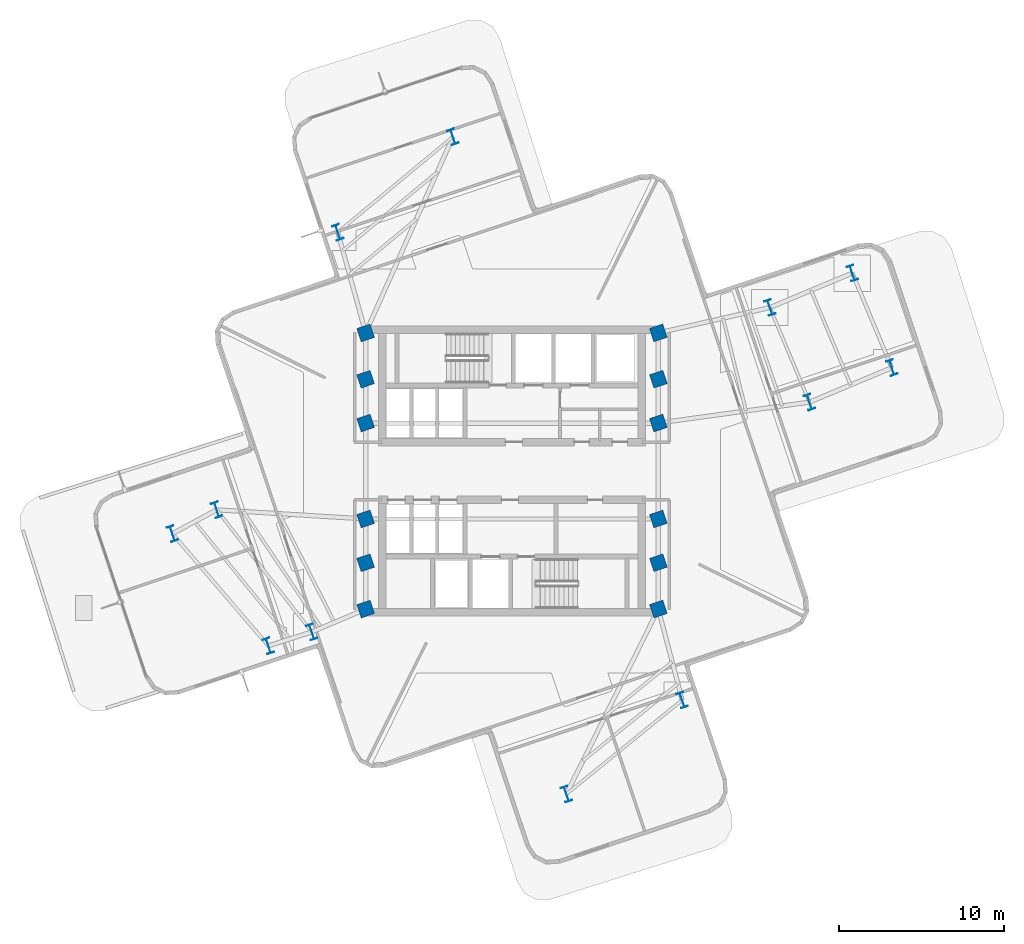
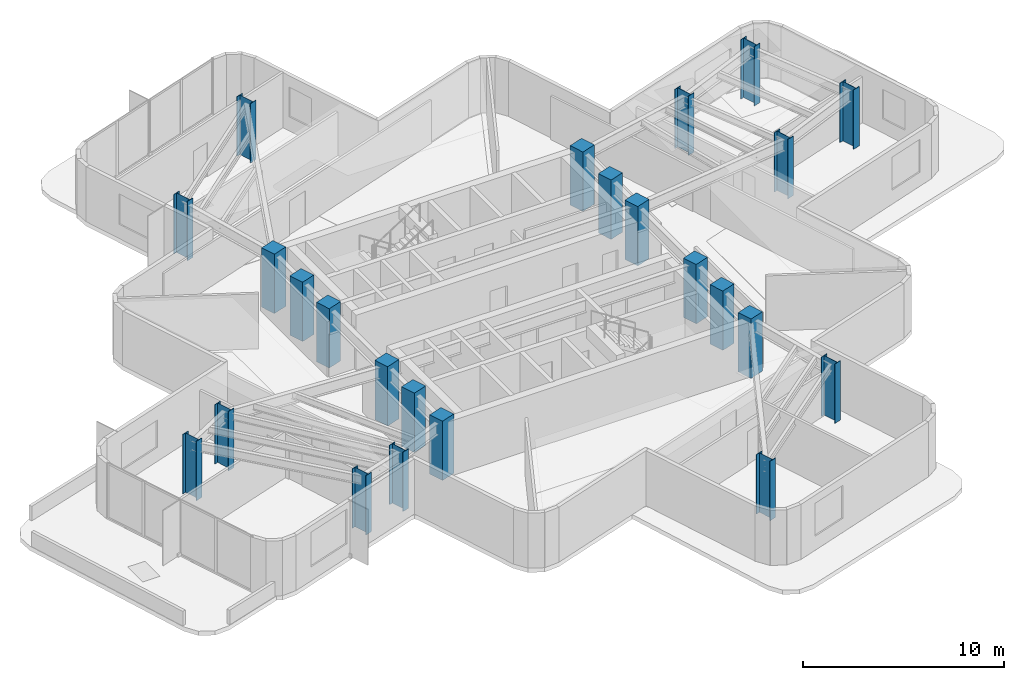
# One storey, part 1 of 11: 24 columns.
"""IFC4 building model written with IfcOpenShell, lengths in metres."""

import ifcopenshell
import ifcopenshell.guid

model = None  # the IFC model being written
_history = None  # IfcOwnerHistory: only IFC2X3 demands one
_inside = {}  # id of a spatial element -> (the spatial element, [elements in it])
_under = {}  # id of a project, library or spatial element -> (it, [spatial elements below it])
_declared = {}  # id of a project -> (the project, [libraries it declares])
_typed = {}  # id of a type object -> (the type object, [elements of that type])
_made_of = {}  # id of a material, layer set ... -> (it, [elements and type objects made of it])


def new_model(schema):
    """Start an empty IFC model of exactly this schema.

    Asked for "IFC4X3", IfcOpenShell would pick the latest addendum, in which some entities
    have other attributes; the version numbers below select the first issue.
    IFC2X3 requires an IfcOwnerHistory on every rooted entity: one is made here for all.
    """
    global model, _history
    if schema == "IFC4X3":
        model = ifcopenshell.file(schema_version=(4, 3, 0, 0))
    else:
        model = ifcopenshell.file(schema=schema)
    _inside.clear()
    _under.clear()
    _declared.clear()
    _typed.clear()
    _made_of.clear()
    _history = None
    if model.schema == "IFC2X3":
        org = make("IfcOrganization", Name="unknown")
        user = make(
            "IfcPersonAndOrganization",
            ThePerson=make("IfcPerson", FamilyName="unknown"),
            TheOrganization=org,
        )
        app = make(
            "IfcApplication",
            ApplicationDeveloper=org,
            Version="unknown",
            ApplicationFullName="unknown",
            ApplicationIdentifier="unknown",
        )
        _history = make(
            "IfcOwnerHistory",
            OwningUser=user,
            OwningApplication=app,
            ChangeAction="ADDED",
            CreationDate=0,
        )
    return model


def make(cls, **values):
    """One entity of the class cls with the attributes given. An attribute that is None is left unset."""
    return model.create_entity(
        cls, **{name: value for name, value in values.items() if value is not None}
    )


def rooted(cls, **values):
    """An entity with a GlobalId (a new one), such as an element, a storey or a relation."""
    return make(cls, GlobalId=ifcopenshell.guid.new(), OwnerHistory=_history, **values)


def si_unit(unit_type, name, prefix=None):
    """IfcSIUnit, for example si_unit("LENGTHUNIT", "METRE", prefix="MILLI")."""
    return make("IfcSIUnit", UnitType=unit_type, Prefix=prefix, Name=name)


def assignment(units):
    """IfcUnitAssignment: the units of a project."""
    return None if units is None else make("IfcUnitAssignment", Units=units)


def point(xyz):
    """IfcCartesianPoint."""
    return None if xyz is None else make("IfcCartesianPoint", Coordinates=xyz)


def direction(xyz):
    """IfcDirection."""
    return None if xyz is None else make("IfcDirection", DirectionRatios=xyz)


def frame(location, z_axis=None, x_axis=None):
    """IfcAxis2Placement3D, a coordinate frame: its origin and axes. An axis left out is left unset."""
    return make(
        "IfcAxis2Placement3D",
        Location=point(location),
        Axis=direction(z_axis),
        RefDirection=direction(x_axis),
    )


def frame_2d(location, x_axis=None):
    """IfcAxis2Placement2D, a coordinate frame in the plane: its origin and x axis."""
    return make(
        "IfcAxis2Placement2D", Location=point(location), RefDirection=direction(x_axis)
    )


def origin():
    """The frame at (0, 0, 0) with its axes left unset."""
    return frame((0.0, 0.0, 0.0))


def origin_2d():
    """The frame at (0, 0) in the plane with its x axis left unset."""
    return frame_2d((0.0, 0.0))


def place(relative_to, where):
    """IfcLocalPlacement: puts the frame where relative to a parent placement (None: the world)."""
    return make(
        "IfcLocalPlacement", PlacementRelTo=relative_to, RelativePlacement=where
    )


def context(
    kind, dimensions, precision=None, world=None, true_north=None, identifier=None
):
    """IfcGeometricRepresentationContext, for example the 3D "Model" context."""
    return make(
        "IfcGeometricRepresentationContext",
        ContextIdentifier=identifier,
        ContextType=kind,
        CoordinateSpaceDimension=dimensions,
        Precision=precision,
        WorldCoordinateSystem=world,
        TrueNorth=true_north,
    )


def subcontext(parent, identifier, kind, view, scale=None):
    """IfcGeometricRepresentationSubContext, for example "Body" below "Model"."""
    return make(
        "IfcGeometricRepresentationSubContext",
        ContextIdentifier=identifier,
        ContextType=kind,
        ParentContext=parent,
        TargetScale=scale,
        TargetView=view,
    )


def project(units=None, contexts=None):
    """IfcProject with its units and contexts."""
    return rooted(
        "IfcProject",
        Name="project",
        RepresentationContexts=contexts,
        UnitsInContext=assignment(units),
    )


def spatial(cls, under=None, at=None, **own):
    """A site, building, storey or space (cls), placed at a placement, below another one or the project."""
    s = rooted(cls, ObjectPlacement=at, **own)
    if under is not None:
        _under.setdefault(under.id(), (under, []))[1].append(s)
    return s


def profile(cls, at=None, kind="AREA", **sizes):
    """A parametric profile (cls). Its sizes go by their IFC names, for example OverallWidth=200.0."""
    return make(cls, ProfileType=kind, Position=at, **sizes)


def rectangle(**sizes):
    """IfcRectangleProfileDef."""
    return profile("IfcRectangleProfileDef", **sizes)


def i_section(**sizes):
    """IfcIShapeProfileDef."""
    return profile("IfcIShapeProfileDef", **sizes)


def extrude(swept, where, along, depth):
    """IfcExtrudedAreaSolid: the profile swept, set in the frame where, extruded along a direction by depth."""
    return make(
        "IfcExtrudedAreaSolid",
        SweptArea=swept,
        Position=where,
        ExtrudedDirection=direction(along),
        Depth=depth,
    )


def shape(context_of_items, identifier, shape_type, items):
    """IfcShapeRepresentation: the items that make up one representation, for example the "Body"."""
    return make(
        "IfcShapeRepresentation",
        ContextOfItems=context_of_items,
        RepresentationIdentifier=identifier,
        RepresentationType=shape_type,
        Items=items,
    )


def material(Name=None, Category=None):
    """IfcMaterial."""
    return make("IfcMaterial", Name=Name, Category=Category)


def material_profile(
    of_material, cross_section, Name=None, Category=None, Priority=None
):
    """IfcMaterialProfile: a cross section and its material."""
    return make(
        "IfcMaterialProfile",
        Name=Name,
        Material=of_material,
        Profile=cross_section,
        Priority=Priority,
        Category=Category,
    )


def profile_set(profiles, Name=None, composite=None):
    """IfcMaterialProfileSet."""
    return make(
        "IfcMaterialProfileSet",
        Name=Name,
        MaterialProfiles=profiles,
        CompositeProfile=composite,
    )


def made_of(thing, what):
    """Note that an element or type object is made of a material, layer set ...; save() writes the relation."""
    if what is not None:
        _made_of.setdefault(what.id(), (what, []))[1].append(thing)
    return thing


def type_object(cls, material=None, **own):
    """A type object (cls), such as IfcWallType, which elements share."""
    return made_of(rooted(cls, **own), material)


def element(
    cls,
    number,
    at=None,
    inside=None,
    cuts=None,
    type_object=None,
    material=None,
    context=None,
    identifier="Body",
    shape_type=None,
    held_by="IfcProductDefinitionShape",
    body=None,
    shapes=None,
    **own,
):
    """One element of the class cls, such as IfcWall. Its Tag is "e" and its number.

    at: its placement. inside: the storey or other place that contains it. cuts: it is an
    opening in that element (IfcRelVoidsElement). A single representation is given by context,
    identifier, shape_type and body (its items); several are given by shapes. held_by: the class
    of the entity that holds the representations. save() writes the other relations.
    """
    e = rooted(cls, Tag="e%d" % number, ObjectPlacement=at, **own)
    if body is not None:
        shapes = [shape(context, identifier, shape_type, body)]
    if shapes is not None:
        e.Representation = make(held_by, Representations=shapes)
    if inside is not None:
        _inside.setdefault(inside.id(), (inside, []))[1].append(e)
    if cuts is not None:
        rooted(
            "IfcRelVoidsElement", RelatingBuildingElement=cuts, RelatedOpeningElement=e
        )
    if type_object is not None:
        _typed.setdefault(type_object.id(), (type_object, []))[1].append(e)
    return made_of(e, material)


def aggregate(whole, parts):
    """IfcRelAggregates: a whole, such as a stair, and the parts it consists of."""
    return rooted("IfcRelAggregates", RelatingObject=whole, RelatedObjects=parts)


def save(model, path):
    """Write the relations noted so far, then the file.

    IfcRelAggregates (storeys below a building ...), IfcRelContainedInSpatialStructure (elements
    in a storey), IfcRelDefinesByType, IfcRelAssociatesMaterial and IfcRelDeclares: one each for
    every whole, place, type object, material and project.
    """
    for whole, parts in _under.values():
        aggregate(whole, parts)
    for where, things in _inside.values():
        rooted(
            "IfcRelContainedInSpatialStructure",
            RelatedElements=things,
            RelatingStructure=where,
        )
    for kind, things in _typed.values():
        rooted("IfcRelDefinesByType", RelatedObjects=things, RelatingType=kind)
    for what, things in _made_of.values():
        rooted("IfcRelAssociatesMaterial", RelatedObjects=things, RelatingMaterial=what)
    for by, libraries in _declared.values():
        rooted("IfcRelDeclares", RelatingContext=by, RelatedDefinitions=libraries)
    model.write(path)


model = new_model("IFC4")

# Units and contexts
model_context = context("Model", 3, precision=1e-05, world=origin(), true_north=direction((0.0, 1.0)))
body_context = subcontext(model_context, "Body", "Model", "MODEL_VIEW")
ifc_project = project(units=[si_unit("LENGTHUNIT", "METRE"), si_unit("AREAUNIT", "SQUARE_METRE"), si_unit("VOLUMEUNIT", "CUBIC_METRE"), si_unit("PLANEANGLEUNIT", "RADIAN"), si_unit("MASSUNIT", "GRAM", prefix="KILO")], contexts=[model_context])

# Site, building, storey
site_placement = place(None, origin())
site = spatial("IfcSite", under=ifc_project, at=site_placement, CompositionType="ELEMENT")
building_placement = place(site_placement, origin())
building = spatial("IfcBuilding", under=site, at=building_placement, Name="Solmarez Civic Tower", CompositionType="ELEMENT")
storey_placement = place(building_placement, frame((0.0, 0.0, 155.8798828125)))
storey = spatial("IfcBuildingStorey", under=building, at=storey_placement, Name="L41", CompositionType="ELEMENT", Elevation=155.8798828125)

# Columns
ifc_material_1 = material(Name="Concrete C50/60", Category="concrete")
ifc_material_profile_1 = material_profile(ifc_material_1, rectangle(XDim=0.85009765625, YDim=0.85009765625, at=origin_2d()), Name="RC850X850")
ifc_profile_set_1 = profile_set([ifc_material_profile_1], Name="Concrete C50/60")
column_type_1 = type_object("IfcColumnType", Name="COL-RC850", PredefinedType="COLUMN", material=ifc_profile_set_1)
for number, where, z_axis, x_axis, name in (
    (1, (-8.85009765625, -5.550048828125, 0.0), (0.0, 0.0, 1.0), (0.948323655206, 0.317304656405, 0.0), "L41 Structural Column HC1"),
    (2, (-8.85009765625, -2.89990234375, 0.0), (0.0, 0.0, 1.0), (0.948323655206, 0.317304656405, 0.0), "L41 Structural Column HC2"),
    (3, (-8.85009765625, 2.89990234375, 0.0), (0.0, 0.0, 1.0), (0.948323655206, 0.317304656405, 0.0), "L41 Structural Column HC3"),
    (4, (-8.85009765625, 5.550048828125, 0.0), (0.0, 0.0, 1.0), (0.948323655206, 0.317304656405, 0.0), "L41 Structural Column HC4"),
    (5, (8.85009765625, -5.550048828125, 0.0), (0.0, 0.0, 1.0), (0.948323655206, 0.317304656405, 0.0), "L41 Structural Column HC5"),
    (6, (8.85009765625, -2.89990234375, 0.0), (0.0, 0.0, 1.0), (0.948323655206, 0.317304656405, 0.0), "L41 Structural Column HC6"),
    (7, (8.85009765625, 2.89990234375, 0.0), (0.0, 0.0, 1.0), (0.948323655206, 0.317304656405, 0.0), "L41 Structural Column HC7"),
    (8, (8.85009765625, 5.550048828125, 0.0), (0.0, 0.0, 1.0), (0.948323655206, 0.317304656405, 0.0), "L41 Structural Column HC8"),
    (9, (-8.85009765625, 8.35009765625, 0.0), (0.0, 0.0, 1.0), (0.948323655206, 0.317304656405, 0.0), "L41 Structural Column HC9"),
    (10, (8.85009765625, -8.35009765625, 0.0), (0.0, 0.0, 1.0), (0.948323655206, 0.317304656405, 0.0), "L41 Structural Column HC10"),
    (11, (8.85009765625, 8.35009765625, 0.0), (0.0, 0.0, 1.0), (0.948323655206, 0.317304656405, 0.0), "L41 Structural Column HC11"),
    (12, (-8.85009765625, -8.35009765625, 0.0), (0.0, 0.0, 1.0), (0.948323655206, 0.317304656405, 0.0), "L41 Structural Column HC12"),
):
    element("IfcColumn", number, at=place(storey_placement, frame(where, z_axis=z_axis, x_axis=x_axis)), inside=storey, type_object=column_type_1, Name=name, PredefinedType="COLUMN", context=body_context, shape_type="SweptSolid", body=[
        extrude(rectangle(XDim=0.85009765625, YDim=0.85009765625, at=origin_2d()), origin(), (0.0, 0.0, 1.0), 3.60009765625),
    ])
ifc_material_2 = material(Name="Steel S355", Category="steel")
ifc_material_profile_2 = material_profile(ifc_material_2, i_section(OverallWidth=0.41796875, OverallDepth=0.927001953125, WebThickness=0.019287109375, FlangeThickness=0.031982421875, at=origin_2d()), Name="W36X231")
ifc_profile_set_2 = profile_set([ifc_material_profile_2], Name="Steel S355")
column_type_2 = type_object("IfcColumnType", Name="COL-W36X231", PredefinedType="COLUMN", material=ifc_profile_set_2)
for number, where, z_axis, x_axis, name in (
    (13, (17.987060546875, 4.1640625, 0.0), (0.0, 0.0, 1.0), (0.948323655206, 0.317304656405, 0.0), "L41 Structural Column EA11"),
    (14, (15.593994140625, 9.883056640625, 0.0), (0.0, 0.0, 1.0), (0.948323655206, 0.317304656405, 0.0), "L41 Structural Column EA12"),
    (15, (22.968017578125, 6.248046875, 0.0), (0.0, 0.0, 1.0), (0.948323655206, 0.317304656405, 0.0), "L41 Structural Column EA21"),
    (16, (20.575927734375, 11.967041015625, 0.0), (0.0, 0.0, 1.0), (0.948323655206, 0.317304656405, 0.0), "L41 Structural Column EA22"),
    (17, (-3.570068359375, 20.20703125, 0.0), (0.0, 0.0, 1.0), (0.948323655206, 0.317304656405, 0.0), "L41 Structural Column NA11"),
    (18, (-10.532958984375, 14.43310546875, 0.0), (0.0, 0.0, 1.0), (0.948323655206, 0.317304656405, 0.0), "L41 Structural Column NA12"),
    (19, (-17.85791015625, -2.345947265625, 0.0), (0.0, 0.0, 1.0), (0.948323655206, 0.317304656405, 0.0), "L41 Structural Column WA11"),
    (20, (-12.10595703125, -9.73095703125, 0.0), (0.0, 0.0, 1.0), (0.948323655206, 0.317304656405, 0.0), "L41 Structural Column WA12"),
    (21, (-20.534912109375, -3.7880859375, 0.0), (0.0, 0.0, 1.0), (0.948323655206, 0.317304656405, 0.0), "L41 Structural Column WA21"),
    (22, (-14.73095703125, -10.572998046875, 0.0), (0.0, 0.0, 1.0), (0.948323655206, 0.317304656405, 0.0), "L41 Structural Column WA22"),
    (23, (3.2900390625, -19.535888671875, 0.0), (0.0, 0.0, 1.0), (0.948323655206, 0.317304656405, 0.0), "L41 Structural Column SA11"),
    (24, (10.2900390625, -13.85009765625, 0.0), (0.0, 0.0, 1.0), (0.948323655206, 0.317304656405, 0.0), "L41 Structural Column SA12"),
):
    element("IfcColumn", number, at=place(storey_placement, frame(where, z_axis=z_axis, x_axis=x_axis)), inside=storey, type_object=column_type_2, Name=name, PredefinedType="COLUMN", context=body_context, shape_type="SweptSolid", body=[
        extrude(i_section(OverallWidth=0.41796875, OverallDepth=0.927001953125, WebThickness=0.019287109375, FlangeThickness=0.031982421875, at=origin_2d()), origin(), (0.0, 0.0, 1.0), 3.60009765625),
    ])

save(model, "model.ifc")
